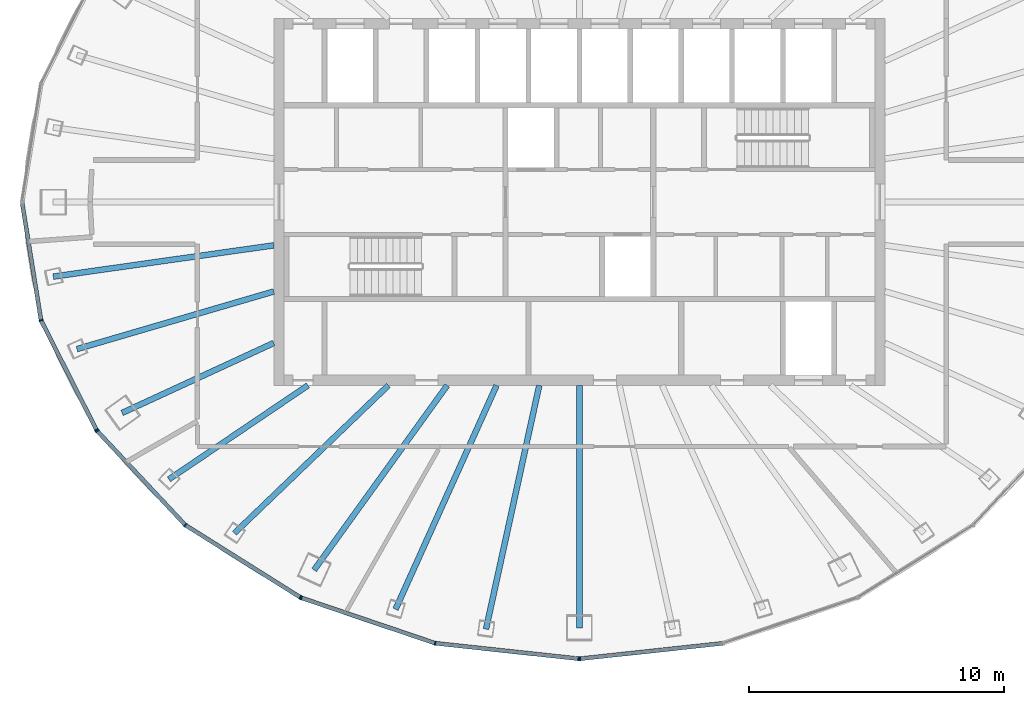
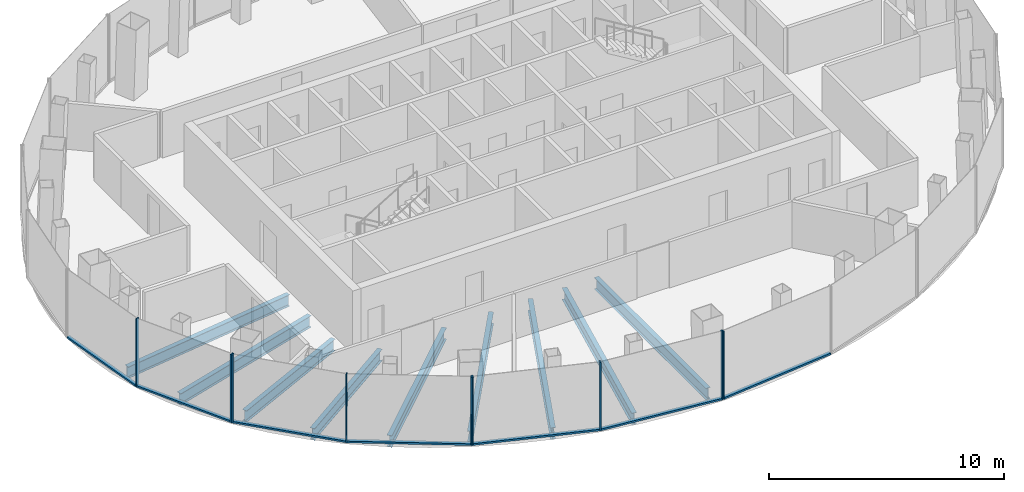
# One storey, part 2 of 11: 16 members, 9 beams, 4 elements without a shape of their own.
"""IFC4 building model written with IfcOpenShell, lengths in metres."""

from ifc_helpers import new_model, si_unit, direction, frame, origin, origin_2d, place, context, subcontext, project, spatial, rectangle, i_section, extrude, material, layer, layer_set, material_profile, profile_set, type_object, element, aggregate, save


model = new_model("IFC4")

# Units and contexts
model_context = context("Model", 3, precision=1e-05, world=origin(), true_north=direction((0.0, 1.0)))
body_context = subcontext(model_context, "Body", "Model", "MODEL_VIEW")
ifc_project = project(units=[si_unit("LENGTHUNIT", "METRE"), si_unit("AREAUNIT", "SQUARE_METRE"), si_unit("VOLUMEUNIT", "CUBIC_METRE"), si_unit("PLANEANGLEUNIT", "RADIAN"), si_unit("MASSUNIT", "GRAM", prefix="KILO")], contexts=[model_context])

# Site, building, storey
site_placement = place(None, origin())
site = spatial("IfcSite", under=ifc_project, at=site_placement, CompositionType="ELEMENT")
building_placement = place(site_placement, origin())
building = spatial("IfcBuilding", under=site, at=building_placement, Name="Siaravel Broadcast Tower", CompositionType="ELEMENT")
storey_placement = place(building_placement, frame((0.0, 0.0, 224.5)))
storey = spatial("IfcBuildingStorey", under=building, at=storey_placement, Name="L54", CompositionType="ELEMENT", Elevation=224.5)

# Beams
ifc_material_1 = material(Name="Steel S355", Category="steel")
ifc_material_profile_1 = material_profile(ifc_material_1, i_section(OverallWidth=0.2275390625, OverallDepth=0.6025390625, WebThickness=0.010498046875, FlangeThickness=0.014892578125, FilletRadius=0.0126953125, at=origin_2d()))
ifc_profile_set_1 = profile_set([ifc_material_profile_1], Name="Steel S355")
beam_type = type_object("IfcBeamType", Name="BM-UB 610x229x101", PredefinedType="BEAM", material=ifc_profile_set_1)
beam_1_placement = place(storey_placement, frame((-20.6591796875, -2.928466796875, -0.451416015625), z_axis=(0.990100782, 0.140358259, 0.0), x_axis=(-0.140358259, 0.990100782, 0.0)))
element("IfcBeam", 1, at=beam_1_placement, inside=storey, type_object=beam_type, Name="Radial beam RB20", PredefinedType="BEAM", context=body_context, shape_type="SweptSolid", body=[
    extrude(i_section(OverallWidth=0.2275390625, OverallDepth=0.6025390625, WebThickness=0.010498046875, FlangeThickness=0.014892578125, FilletRadius=0.0126953125, at=origin_2d()), origin(), (0.0, 0.0, 1.0), 8.745849609375),
])
beam_2_placement = place(storey_placement, frame((-19.72802734375, -5.774658203125, -0.451416015625), z_axis=(0.959734018, 0.280910333, 0.0), x_axis=(-0.280910333, 0.959734018, 0.0)))
element("IfcBeam", 2, at=beam_2_placement, inside=storey, type_object=beam_type, Name="Radial beam RB21", PredefinedType="BEAM", context=body_context, shape_type="SweptSolid", body=[
    extrude(i_section(OverallWidth=0.2275390625, OverallDepth=0.6025390625, WebThickness=0.010498046875, FlangeThickness=0.014892578125, FilletRadius=0.0126953125, at=origin_2d()), origin(), (0.0, 0.0, 1.0), 8.05224609375),
])
beam_3_placement = place(storey_placement, frame((-17.9560546875, -8.283203125, -0.451416015625), z_axis=(0.908039983, 0.418883504, 0.0), x_axis=(-0.418883504, 0.908039983, 0.0)))
element("IfcBeam", 3, at=beam_3_placement, inside=storey, type_object=beam_type, Name="Radial beam RB22", PredefinedType="BEAM", context=body_context, shape_type="SweptSolid", body=[
    extrude(i_section(OverallWidth=0.2275390625, OverallDepth=0.6025390625, WebThickness=0.010498046875, FlangeThickness=0.014892578125, FilletRadius=0.0126953125, at=origin_2d()), origin(), (0.0, 0.0, 1.0), 6.559326171875),
])
beam_4_placement = place(storey_placement, frame((-16.11962890625, -10.890869140625, -0.451416015625), z_axis=(0.828604754, 0.559834048, 0.0), x_axis=(-0.559834048, 0.828604754, 0.0)))
element("IfcBeam", 4, at=beam_4_placement, inside=storey, type_object=beam_type, Name="Radial beam RB23", PredefinedType="BEAM", context=body_context, shape_type="SweptSolid", body=[
    extrude(i_section(OverallWidth=0.2275390625, OverallDepth=0.6025390625, WebThickness=0.010498046875, FlangeThickness=0.014892578125, FilletRadius=0.0126953125, at=origin_2d()), origin(), (0.0, 0.0, 1.0), 6.5927734375),
])
beam_5_placement = place(storey_placement, frame((-13.541748046875, -13.002197265625, -0.451416015625), z_axis=(0.721327918, 0.692593701, 0.0), x_axis=(-0.692593701, 0.721327918, 0.0)))
element("IfcBeam", 5, at=beam_5_placement, inside=storey, type_object=beam_type, Name="Radial beam RB24", PredefinedType="BEAM", context=body_context, shape_type="SweptSolid", body=[
    extrude(i_section(OverallWidth=0.2275390625, OverallDepth=0.6025390625, WebThickness=0.010498046875, FlangeThickness=0.014892578125, FilletRadius=0.0126953125, at=origin_2d()), origin(), (0.0, 0.0, 1.0), 8.37744140625),
])
beam_6_placement = place(storey_placement, frame((-10.415771484375, -14.4501953125, -0.451416015625), z_axis=(0.58473929, 0.811221279, 0.0), x_axis=(-0.811221279, 0.58473929, 0.0)))
element("IfcBeam", 6, at=beam_6_placement, inside=storey, type_object=beam_type, Name="Radial beam RB25", PredefinedType="BEAM", context=body_context, shape_type="SweptSolid", body=[
    extrude(i_section(OverallWidth=0.2275390625, OverallDepth=0.6025390625, WebThickness=0.010498046875, FlangeThickness=0.014892578125, FilletRadius=0.0126953125, at=origin_2d()), origin(), (0.0, 0.0, 1.0), 8.9375),
])
beam_7_placement = place(storey_placement, frame((-7.218017578125, -15.99169921875, -0.451416015625), z_axis=(0.41139683, 0.911456334, 0.0), x_axis=(-0.911456334, 0.41139683, 0.0)))
element("IfcBeam", 7, at=beam_7_placement, inside=storey, type_object=beam_type, Name="Radial beam RB26", PredefinedType="BEAM", context=body_context, shape_type="SweptSolid", body=[
    extrude(i_section(OverallWidth=0.2275390625, OverallDepth=0.6025390625, WebThickness=0.010498046875, FlangeThickness=0.014892578125, FilletRadius=0.0126953125, at=origin_2d()), origin(), (0.0, 0.0, 1.0), 9.645751953125),
])
beam_8_placement = place(storey_placement, frame((-3.666259765625, -16.77099609375, -0.451416015625), z_axis=(0.213562361, 0.976929433, 0.0), x_axis=(-0.976929433, 0.213562361, 0.0)))
element("IfcBeam", 8, at=beam_8_placement, inside=storey, type_object=beam_type, Name="Radial beam RB27", PredefinedType="BEAM", context=body_context, shape_type="SweptSolid", body=[
    extrude(i_section(OverallWidth=0.2275390625, OverallDepth=0.6025390625, WebThickness=0.010498046875, FlangeThickness=0.014892578125, FilletRadius=0.0126953125, at=origin_2d()), origin(), (0.0, 0.0, 1.0), 9.797119140625),
])
beam_9_placement = place(storey_placement, frame((0.0, -16.73388671875, -0.451416015625), z_axis=(0.0, 1.0, 0.0), x_axis=(-1.0, 0.0, 0.0)))
element("IfcBeam", 9, at=beam_9_placement, inside=storey, type_object=beam_type, Name="Radial beam RB28", PredefinedType="BEAM", context=body_context, shape_type="SweptSolid", body=[
    extrude(i_section(OverallWidth=0.2275390625, OverallDepth=0.6025390625, WebThickness=0.010498046875, FlangeThickness=0.014892578125, FilletRadius=0.0126953125, at=origin_2d()), origin(), (0.0, 0.0, 1.0), 9.533935546875),
])

# Curtain wall, members
ifc_material_2 = material(Name="Aluminium 6063-T6", Category="aluminium")
ifc_layer = layer(ifc_material_2, 0.159912109375)
ifc_layer_set = layer_set([ifc_layer], Name="Aluminium 6063-T6")
curtain_wall_type = type_object("IfcCurtainWallType", Name="Unitised curtain wall, zone 4", PredefinedType="NOTDEFINED", material=ifc_layer_set)
curtain_wall_1_placement = place(storey_placement, origin())
curtain_wall_1 = element("IfcCurtainWall", 10, at=curtain_wall_1_placement, inside=storey, type_object=curtain_wall_type, Name="L54 Unitised curtain wall, zone 4 07", PredefinedType="NOTDEFINED")
ifc_material_profile_2 = material_profile(ifc_material_2, rectangle(XDim=0.159912109375, YDim=0.054931640625, at=origin_2d()))
ifc_profile_set_2 = profile_set([ifc_material_profile_2], Name="Aluminium 6063-T6")
member_type_1 = type_object("IfcMemberType", Name="CW-Z4 mullion", PredefinedType="MULLION", material=ifc_profile_set_2)
member_1_placement = place(storey_placement, frame((-21.1396484375, -4.64501953125, 0.0), z_axis=(0.0, 0.0, 1.0), x_axis=(0.951177504, 0.308644385, 0.0)))
member_1 = element("IfcMember", 11, at=member_1_placement, type_object=member_type_1, Name="CW-Z4 mullion 2", PredefinedType="MULLION", context=body_context, shape_type="SweptSolid", body=[
    extrude(rectangle(XDim=0.159912109375, YDim=0.054931640625, at=origin_2d()), origin(), (0.0, 0.0, 1.0), 3.550048828125),
])
member_2_placement = place(storey_placement, frame((-18.964111328125, -8.947509765625, 0.0), z_axis=(0.0, 0.0, 1.0), x_axis=(0.892392673, 0.451259701, 0.0)))
member_2 = element("IfcMember", 12, at=member_2_placement, type_object=member_type_1, Name="CW-Z4 mullion 3", PredefinedType="MULLION", context=body_context, shape_type="SweptSolid", body=[
    extrude(rectangle(XDim=0.159912109375, YDim=0.054931640625, at=origin_2d()), origin(), (0.0, 0.0, 1.0), 3.550048828125),
])

curtain_wall_2_placement = place(storey_placement, origin())
curtain_wall_2 = element("IfcCurtainWall", 13, at=curtain_wall_2_placement, inside=storey, type_object=curtain_wall_type, Name="L54 Unitised curtain wall, zone 4 08", PredefinedType="NOTDEFINED")
member_3_placement = place(storey_placement, frame((-18.932861328125, -8.991943359375, 0.0), z_axis=(0.0, 0.0, 1.0), x_axis=(0.729806178, 0.68365411, 0.0)))
member_3 = element("IfcMember", 14, at=member_3_placement, type_object=member_type_1, Name="CW-Z4 mullion 1", PredefinedType="MULLION", context=body_context, shape_type="SweptSolid", body=[
    extrude(rectangle(XDim=0.159912109375, YDim=0.054931640625, at=origin_2d()), origin(), (0.0, 0.0, 1.0), 3.550048828125),
])
member_4_placement = place(storey_placement, frame((-15.47216796875, -12.686279296875, 0.0), z_axis=(0.0, 0.0, 1.0), x_axis=(0.636219575, 0.771508038, 0.0)))
member_4 = element("IfcMember", 15, at=member_4_placement, type_object=member_type_1, Name="CW-Z4 mullion 2", PredefinedType="MULLION", context=body_context, shape_type="SweptSolid", body=[
    extrude(rectangle(XDim=0.159912109375, YDim=0.054931640625, at=origin_2d()), origin(), (0.0, 0.0, 1.0), 3.550048828125),
])
member_5_placement = place(storey_placement, frame((-10.962890625, -15.5205078125, 0.0), z_axis=(0.0, 0.0, 1.0), x_axis=(0.53215013, 0.84665001, 0.0)))
member_5 = element("IfcMember", 16, at=member_5_placement, type_object=member_type_1, Name="CW-Z4 mullion 3", PredefinedType="MULLION", context=body_context, shape_type="SweptSolid", body=[
    extrude(rectangle(XDim=0.159912109375, YDim=0.054931640625, at=origin_2d()), origin(), (0.0, 0.0, 1.0), 3.550048828125),
])

curtain_wall_3_placement = place(storey_placement, origin())
curtain_wall_3 = element("IfcCurtainWall", 17, at=curtain_wall_3_placement, inside=storey, type_object=curtain_wall_type, Name="L54 Unitised curtain wall, zone 4 09", PredefinedType="NOTDEFINED")
member_6_placement = place(storey_placement, frame((-10.913330078125, -15.5439453125, 0.0), z_axis=(0.0, 0.0, 1.0), x_axis=(0.321301242, 0.946977039, 0.0)))
member_6 = element("IfcMember", 18, at=member_6_placement, type_object=member_type_1, Name="CW-Z4 mullion 1", PredefinedType="MULLION", context=body_context, shape_type="SweptSolid", body=[
    extrude(rectangle(XDim=0.159912109375, YDim=0.054931640625, at=origin_2d()), origin(), (0.0, 0.0, 1.0), 3.550048828125),
])
member_7_placement = place(storey_placement, frame((-5.662353515625, -17.32568359375, 0.0), z_axis=(0.0, 0.0, 1.0), x_axis=(0.215558493, 0.97649093, 0.0)))
member_7 = element("IfcMember", 19, at=member_7_placement, type_object=member_type_1, Name="CW-Z4 mullion 2", PredefinedType="MULLION", context=body_context, shape_type="SweptSolid", body=[
    extrude(rectangle(XDim=0.159912109375, YDim=0.054931640625, at=origin_2d()), origin(), (0.0, 0.0, 1.0), 3.550048828125),
])
member_8_placement = place(storey_placement, frame((-0.02734375, -17.933349609375, 0.0), z_axis=(0.0, 0.0, 1.0), x_axis=(0.107217705, 0.994235568, 0.0)))
member_8 = element("IfcMember", 20, at=member_8_placement, type_object=member_type_1, Name="CW-Z4 mullion 3", PredefinedType="MULLION", context=body_context, shape_type="SweptSolid", body=[
    extrude(rectangle(XDim=0.159912109375, YDim=0.054931640625, at=origin_2d()), origin(), (0.0, 0.0, 1.0), 3.550048828125),
])

# Curtain wall, member
curtain_wall_4_placement = place(storey_placement, origin())
curtain_wall_4 = element("IfcCurtainWall", 21, at=curtain_wall_4_placement, inside=storey, type_object=curtain_wall_type, Name="L54 Unitised curtain wall, zone 4 10", PredefinedType="NOTDEFINED")
member_9_placement = place(storey_placement, frame((0.02734375, -17.933349609375, 0.0), z_axis=(0.0, 0.0, 1.0), x_axis=(-0.107217705, 0.994235568, 0.0)))
member_9 = element("IfcMember", 22, at=member_9_placement, type_object=member_type_1, Name="CW-Z4 mullion 1", PredefinedType="MULLION", context=body_context, shape_type="SweptSolid", body=[
    extrude(rectangle(XDim=0.159912109375, YDim=0.054931640625, at=origin_2d()), origin(), (0.0, 0.0, 1.0), 3.550048828125),
])

# Member
ifc_material_profile_3 = material_profile(ifc_material_2, rectangle(XDim=0.159912109375, YDim=0.090087890625, at=origin_2d()))
ifc_profile_set_3 = profile_set([ifc_material_profile_3], Name="Aluminium 6063-T6")
member_type_2 = type_object("IfcMemberType", Name="CW-Z4 transom", PredefinedType="USERDEFINED", material=ifc_profile_set_3)
member_10_placement = place(storey_placement, frame((-21.87744140625, -0.05419921875, 0.044921875), z_axis=(0.158674417, -0.987330962, 0.0), x_axis=(0.987330962, 0.158674417, 0.0)))
member_10 = element("IfcMember", 23, at=member_10_placement, type_object=member_type_2, Name="CW-Z4 transom 1", ObjectType="TRANSOM", PredefinedType="USERDEFINED", context=body_context, shape_type="SweptSolid", body=[
    extrude(rectangle(XDim=0.159912109375, YDim=0.090087890625, at=origin_2d()), origin(), (0.0, 0.0, 1.0), 4.6220703125),
])

member_11_placement = place(storey_placement, frame((-21.127197265625, -4.66943359375, 0.044921875), z_axis=(0.451265777, -0.8923896, 0.0), x_axis=(0.8923896, 0.451265777, 0.0)))
member_11 = element("IfcMember", 24, at=member_11_placement, type_object=member_type_2, Name="CW-Z4 transom 2", ObjectType="TRANSOM", PredefinedType="USERDEFINED", context=body_context, shape_type="SweptSolid", body=[
    extrude(rectangle(XDim=0.159912109375, YDim=0.090087890625, at=origin_2d()), origin(), (0.0, 0.0, 1.0), 4.766357421875),
])

aggregate(curtain_wall_1, [member_1, member_2, member_10, member_11])

member_12_placement = place(storey_placement, frame((-18.9140625, -9.01220703125, 0.044921875), z_axis=(0.683691298, -0.72977134, 0.0), x_axis=(0.72977134, 0.683691298, 0.0)))
member_12 = element("IfcMember", 25, at=member_12_placement, type_object=member_type_2, Name="CW-Z4 transom 1", ObjectType="TRANSOM", PredefinedType="USERDEFINED", context=body_context, shape_type="SweptSolid", body=[
    extrude(rectangle(XDim=0.159912109375, YDim=0.090087890625, at=origin_2d()), origin(), (0.0, 0.0, 1.0), 5.0068359375),
])

member_13_placement = place(storey_placement, frame((-15.448974609375, -12.70068359375, 0.044921875), z_axis=(0.846642511, -0.53216206, 0.0), x_axis=(0.53216206, 0.846642511, 0.0)))
member_13 = element("IfcMember", 26, at=member_13_placement, type_object=member_type_2, Name="CW-Z4 transom 2", ObjectType="TRANSOM", PredefinedType="USERDEFINED", context=body_context, shape_type="SweptSolid", body=[
    extrude(rectangle(XDim=0.159912109375, YDim=0.090087890625, at=origin_2d()), origin(), (0.0, 0.0, 1.0), 5.271240234375),
])

aggregate(curtain_wall_2, [member_3, member_4, member_5, member_12, member_13])

member_14_placement = place(storey_placement, frame((-10.887451171875, -15.552978515625, 0.044921875), z_axis=(0.946979908, -0.321292784, 0.0), x_axis=(0.321292784, 0.946979908, 0.0)))
member_14 = element("IfcMember", 27, at=member_14_placement, type_object=member_type_2, Name="CW-Z4 transom 1", ObjectType="TRANSOM", PredefinedType="USERDEFINED", context=body_context, shape_type="SweptSolid", body=[
    extrude(rectangle(XDim=0.159912109375, YDim=0.090087890625, at=origin_2d()), origin(), (0.0, 0.0, 1.0), 5.489990234375),
])

member_15_placement = place(storey_placement, frame((-5.635009765625, -17.32861328125, 0.044921875), z_axis=(0.994235028, -0.107222704, 0.0), x_axis=(0.107222704, 0.994235028, 0.0)))
member_15 = element("IfcMember", 28, at=member_15_placement, type_object=member_type_2, Name="CW-Z4 transom 2", ObjectType="TRANSOM", PredefinedType="USERDEFINED", context=body_context, shape_type="SweptSolid", body=[
    extrude(rectangle(XDim=0.159912109375, YDim=0.090087890625, at=origin_2d()), origin(), (0.0, 0.0, 1.0), 5.61279296875),
])

aggregate(curtain_wall_3, [member_6, member_7, member_8, member_14, member_15])

member_16_placement = place(storey_placement, frame((0.0546875, -17.930419921875, 0.044921875), z_axis=(0.994235028, 0.107222704, 0.0), x_axis=(-0.107222704, 0.994235028, 0.0)))
member_16 = element("IfcMember", 29, at=member_16_placement, type_object=member_type_2, Name="CW-Z4 transom 1", ObjectType="TRANSOM", PredefinedType="USERDEFINED", context=body_context, shape_type="SweptSolid", body=[
    extrude(rectangle(XDim=0.159912109375, YDim=0.090087890625, at=origin_2d()), origin(), (0.0, 0.0, 1.0), 5.61279296875),
])

aggregate(curtain_wall_4, [member_9, member_16])

save(model, "model.ifc")
